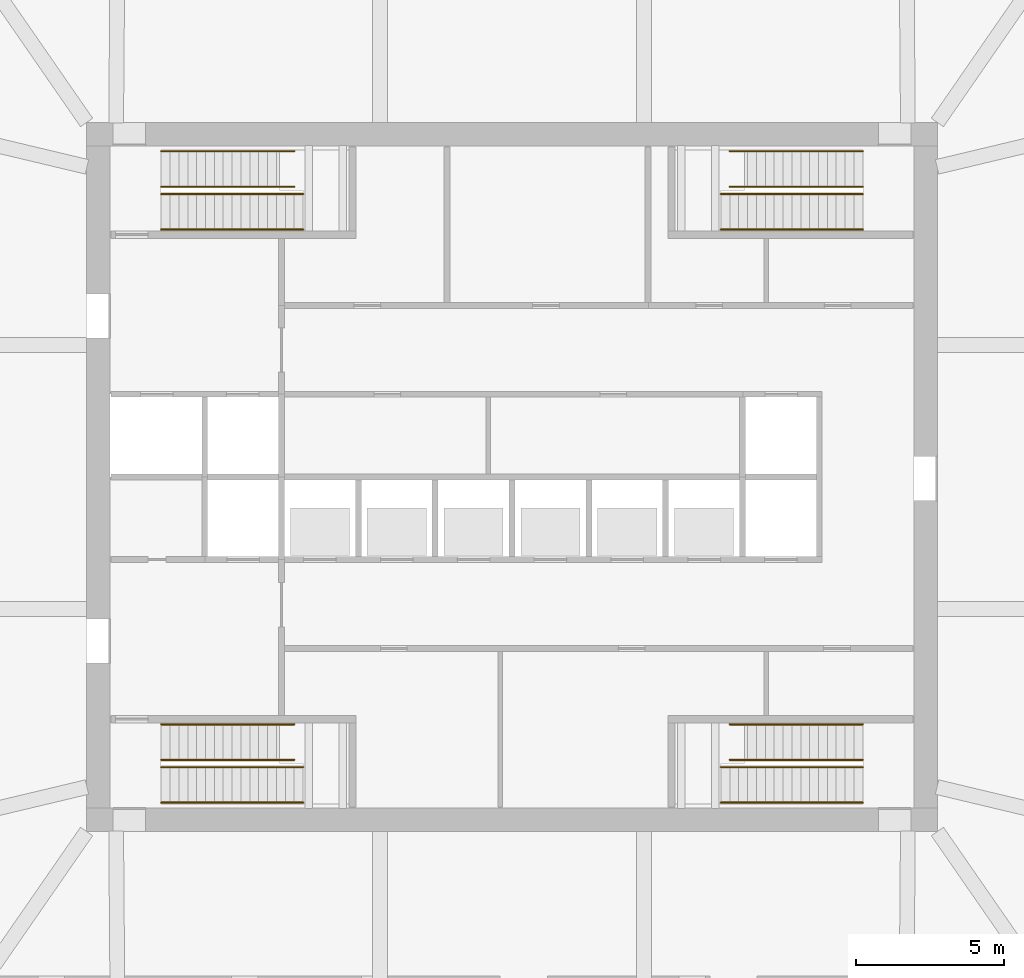
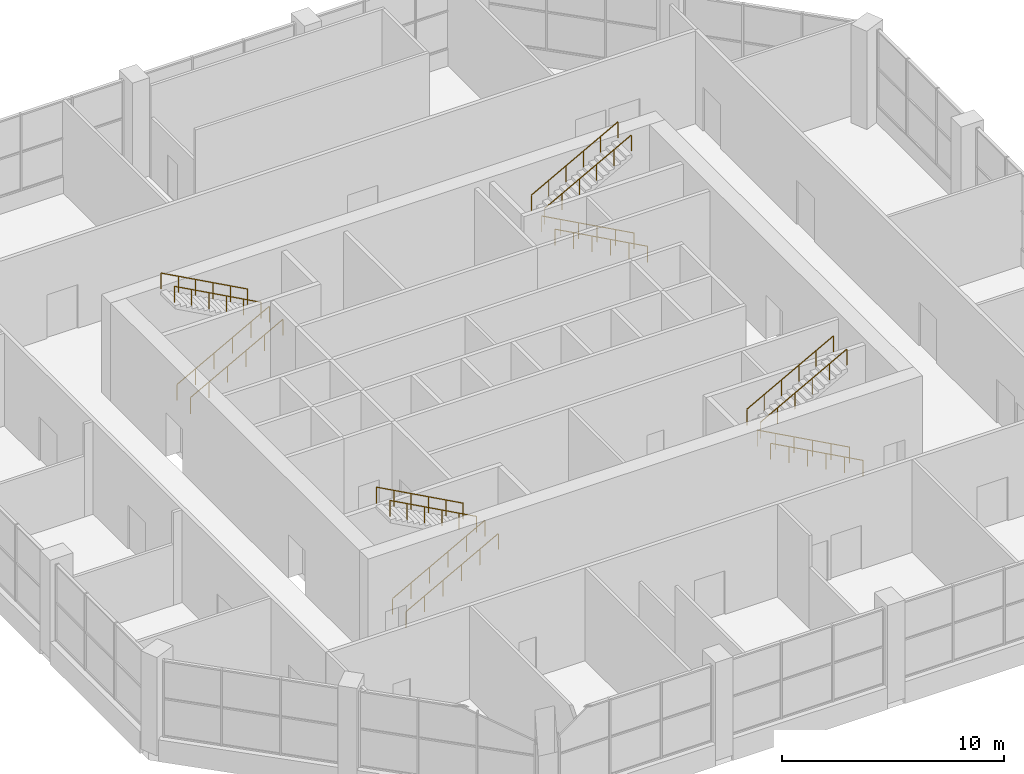
# One storey, part 15 of 16: 16 railings.
"""IFC4 building model written with IfcOpenShell, lengths in metres."""

import ifcopenshell
import ifcopenshell.guid

model = None  # the IFC model being written
_history = None  # IfcOwnerHistory: only IFC2X3 demands one
_inside = {}  # id of a spatial element -> (the spatial element, [elements in it])
_under = {}  # id of a project, library or spatial element -> (it, [spatial elements below it])
_declared = {}  # id of a project -> (the project, [libraries it declares])
_typed = {}  # id of a type object -> (the type object, [elements of that type])
_made_of = {}  # id of a material, layer set ... -> (it, [elements and type objects made of it])


def new_model(schema):
    """Start an empty IFC model of exactly this schema.

    Asked for "IFC4X3", IfcOpenShell would pick the latest addendum, in which some entities
    have other attributes; the version numbers below select the first issue.
    IFC2X3 requires an IfcOwnerHistory on every rooted entity: one is made here for all.
    """
    global model, _history
    if schema == "IFC4X3":
        model = ifcopenshell.file(schema_version=(4, 3, 0, 0))
    else:
        model = ifcopenshell.file(schema=schema)
    _inside.clear()
    _under.clear()
    _declared.clear()
    _typed.clear()
    _made_of.clear()
    _history = None
    if model.schema == "IFC2X3":
        org = make("IfcOrganization", Name="unknown")
        user = make(
            "IfcPersonAndOrganization",
            ThePerson=make("IfcPerson", FamilyName="unknown"),
            TheOrganization=org,
        )
        app = make(
            "IfcApplication",
            ApplicationDeveloper=org,
            Version="unknown",
            ApplicationFullName="unknown",
            ApplicationIdentifier="unknown",
        )
        _history = make(
            "IfcOwnerHistory",
            OwningUser=user,
            OwningApplication=app,
            ChangeAction="ADDED",
            CreationDate=0,
        )
    return model


def make(cls, **values):
    """One entity of the class cls with the attributes given. An attribute that is None is left unset."""
    return model.create_entity(
        cls, **{name: value for name, value in values.items() if value is not None}
    )


def rooted(cls, **values):
    """An entity with a GlobalId (a new one), such as an element, a storey or a relation."""
    return make(cls, GlobalId=ifcopenshell.guid.new(), OwnerHistory=_history, **values)


def si_unit(unit_type, name, prefix=None):
    """IfcSIUnit, for example si_unit("LENGTHUNIT", "METRE", prefix="MILLI")."""
    return make("IfcSIUnit", UnitType=unit_type, Prefix=prefix, Name=name)


def assignment(units):
    """IfcUnitAssignment: the units of a project."""
    return None if units is None else make("IfcUnitAssignment", Units=units)


def point(xyz):
    """IfcCartesianPoint."""
    return None if xyz is None else make("IfcCartesianPoint", Coordinates=xyz)


def direction(xyz):
    """IfcDirection."""
    return None if xyz is None else make("IfcDirection", DirectionRatios=xyz)


def frame(location, z_axis=None, x_axis=None):
    """IfcAxis2Placement3D, a coordinate frame: its origin and axes. An axis left out is left unset."""
    return make(
        "IfcAxis2Placement3D",
        Location=point(location),
        Axis=direction(z_axis),
        RefDirection=direction(x_axis),
    )


def frame_2d(location, x_axis=None):
    """IfcAxis2Placement2D, a coordinate frame in the plane: its origin and x axis."""
    return make(
        "IfcAxis2Placement2D", Location=point(location), RefDirection=direction(x_axis)
    )


def origin():
    """The frame at (0, 0, 0) with its axes left unset."""
    return frame((0.0, 0.0, 0.0))


def origin_2d():
    """The frame at (0, 0) in the plane with its x axis left unset."""
    return frame_2d((0.0, 0.0))


def place(relative_to, where):
    """IfcLocalPlacement: puts the frame where relative to a parent placement (None: the world)."""
    return make(
        "IfcLocalPlacement", PlacementRelTo=relative_to, RelativePlacement=where
    )


def context(
    kind, dimensions, precision=None, world=None, true_north=None, identifier=None
):
    """IfcGeometricRepresentationContext, for example the 3D "Model" context."""
    return make(
        "IfcGeometricRepresentationContext",
        ContextIdentifier=identifier,
        ContextType=kind,
        CoordinateSpaceDimension=dimensions,
        Precision=precision,
        WorldCoordinateSystem=world,
        TrueNorth=true_north,
    )


def subcontext(parent, identifier, kind, view, scale=None):
    """IfcGeometricRepresentationSubContext, for example "Body" below "Model"."""
    return make(
        "IfcGeometricRepresentationSubContext",
        ContextIdentifier=identifier,
        ContextType=kind,
        ParentContext=parent,
        TargetScale=scale,
        TargetView=view,
    )


def project(units=None, contexts=None):
    """IfcProject with its units and contexts."""
    return rooted(
        "IfcProject",
        Name="project",
        RepresentationContexts=contexts,
        UnitsInContext=assignment(units),
    )


def spatial(cls, under=None, at=None, **own):
    """A site, building, storey or space (cls), placed at a placement, below another one or the project."""
    s = rooted(cls, ObjectPlacement=at, **own)
    if under is not None:
        _under.setdefault(under.id(), (under, []))[1].append(s)
    return s


def profile(cls, at=None, kind="AREA", **sizes):
    """A parametric profile (cls). Its sizes go by their IFC names, for example OverallWidth=200.0."""
    return make(cls, ProfileType=kind, Position=at, **sizes)


def circle(**sizes):
    """IfcCircleProfileDef."""
    return profile("IfcCircleProfileDef", **sizes)


def extrude(swept, where, along, depth):
    """IfcExtrudedAreaSolid: the profile swept, set in the frame where, extruded along a direction by depth."""
    return make(
        "IfcExtrudedAreaSolid",
        SweptArea=swept,
        Position=where,
        ExtrudedDirection=direction(along),
        Depth=depth,
    )


def shape(context_of_items, identifier, shape_type, items):
    """IfcShapeRepresentation: the items that make up one representation, for example the "Body"."""
    return make(
        "IfcShapeRepresentation",
        ContextOfItems=context_of_items,
        RepresentationIdentifier=identifier,
        RepresentationType=shape_type,
        Items=items,
    )


def material(Name=None, Category=None):
    """IfcMaterial."""
    return make("IfcMaterial", Name=Name, Category=Category)


def constituent(of_material, Name=None, Category=None, fraction=None):
    """IfcMaterialConstituent: one of the materials an element consists of."""
    return make(
        "IfcMaterialConstituent",
        Name=Name,
        Material=of_material,
        Fraction=fraction,
        Category=Category,
    )


def constituent_set(constituents=None, Name=None):
    """IfcMaterialConstituentSet."""
    return make(
        "IfcMaterialConstituentSet", Name=Name, MaterialConstituents=constituents
    )


def made_of(thing, what):
    """Note that an element or type object is made of a material, layer set ...; save() writes the relation."""
    if what is not None:
        _made_of.setdefault(what.id(), (what, []))[1].append(thing)
    return thing


def type_object(cls, material=None, **own):
    """A type object (cls), such as IfcWallType, which elements share."""
    return made_of(rooted(cls, **own), material)


def element(
    cls,
    number,
    at=None,
    inside=None,
    cuts=None,
    type_object=None,
    material=None,
    context=None,
    identifier="Body",
    shape_type=None,
    held_by="IfcProductDefinitionShape",
    body=None,
    shapes=None,
    **own,
):
    """One element of the class cls, such as IfcWall. Its Tag is "e" and its number.

    at: its placement. inside: the storey or other place that contains it. cuts: it is an
    opening in that element (IfcRelVoidsElement). A single representation is given by context,
    identifier, shape_type and body (its items); several are given by shapes. held_by: the class
    of the entity that holds the representations. save() writes the other relations.
    """
    e = rooted(cls, Tag="e%d" % number, ObjectPlacement=at, **own)
    if body is not None:
        shapes = [shape(context, identifier, shape_type, body)]
    if shapes is not None:
        e.Representation = make(held_by, Representations=shapes)
    if inside is not None:
        _inside.setdefault(inside.id(), (inside, []))[1].append(e)
    if cuts is not None:
        rooted(
            "IfcRelVoidsElement", RelatingBuildingElement=cuts, RelatedOpeningElement=e
        )
    if type_object is not None:
        _typed.setdefault(type_object.id(), (type_object, []))[1].append(e)
    return made_of(e, material)


def aggregate(whole, parts):
    """IfcRelAggregates: a whole, such as a stair, and the parts it consists of."""
    return rooted("IfcRelAggregates", RelatingObject=whole, RelatedObjects=parts)


def save(model, path):
    """Write the relations noted so far, then the file.

    IfcRelAggregates (storeys below a building ...), IfcRelContainedInSpatialStructure (elements
    in a storey), IfcRelDefinesByType, IfcRelAssociatesMaterial and IfcRelDeclares: one each for
    every whole, place, type object, material and project.
    """
    for whole, parts in _under.values():
        aggregate(whole, parts)
    for where, things in _inside.values():
        rooted(
            "IfcRelContainedInSpatialStructure",
            RelatedElements=things,
            RelatingStructure=where,
        )
    for kind, things in _typed.values():
        rooted("IfcRelDefinesByType", RelatedObjects=things, RelatingType=kind)
    for what, things in _made_of.values():
        rooted("IfcRelAssociatesMaterial", RelatedObjects=things, RelatingMaterial=what)
    for by, libraries in _declared.values():
        rooted("IfcRelDeclares", RelatingContext=by, RelatedDefinitions=libraries)
    model.write(path)


model = new_model("IFC4")

# Units and contexts
model_context = context("Model", 3, precision=1e-05, world=origin(), true_north=direction((0.0, 1.0)))
body_context = subcontext(model_context, "Body", "Model", "MODEL_VIEW")
ifc_project = project(units=[si_unit("LENGTHUNIT", "METRE"), si_unit("AREAUNIT", "SQUARE_METRE"), si_unit("VOLUMEUNIT", "CUBIC_METRE"), si_unit("PLANEANGLEUNIT", "RADIAN"), si_unit("MASSUNIT", "GRAM", prefix="KILO")], contexts=[model_context])

# Site, building, storey
site_placement = place(None, origin())
site = spatial("IfcSite", under=ifc_project, at=site_placement, CompositionType="ELEMENT")
building_placement = place(site_placement, origin())
building = spatial("IfcBuilding", under=site, at=building_placement, Name="Msitu Wima Residences", CompositionType="ELEMENT")
storey_placement = place(building_placement, frame((0.0, 0.0, 156.89990234375)))
storey = spatial("IfcBuildingStorey", under=building, at=storey_placement, Name="L36", CompositionType="ELEMENT", Elevation=156.89990234375)

# Railings
ifc_material_1 = material(Name="Steel S355", Category="steel")
ifc_constituent_1 = constituent(ifc_material_1, Name="Steel S355")
ifc_material_2 = material(Name="Black powder coating")
ifc_constituent_2 = constituent(ifc_material_2, Name="Black powder coating")
ifc_constituent_set = constituent_set(constituents=[ifc_constituent_1, ifc_constituent_2], Name="Steel S355")
railing_type = type_object("IfcRailingType", Name="Stair handrail HR1", PredefinedType="HANDRAIL", material=ifc_constituent_set)
for number, where, name in (
    (1, (-11.875, 8.375, 0.163818359375), "Stair 1 handrail"),
    (2, (-11.875, 9.574951171875, 0.163818359375), "Stair 1 handrail"),
):
    element("IfcRailing", number, at=place(storey_placement, frame(where)), inside=storey, type_object=railing_type, Name=name, PredefinedType="HANDRAIL", context=body_context, shape_type="SweptSolid", body=[
        extrude(circle(Radius=0.02392578125, at=origin_2d()), frame((0.0, 0.0, 0.8759765625), z_axis=(0.877898985768, 0.0, 0.478845873729), x_axis=(0.0, 1.0, 0.0)), (0.0, 0.0, 1.0), 5.4677734375),
        extrude(circle(Radius=0.02099609375, at=origin_2d()), origin(), (0.0, 0.0, 1.0), 0.851806640625),
        extrude(circle(Radius=0.02099609375, at=origin_2d()), frame((0.9599609375, 0.0, 0.523681640625)), (0.0, 0.0, 1.0), 0.851806640625),
        extrude(circle(Radius=0.02099609375, at=origin_2d()), frame((1.919921875, 0.0, 1.04736328125)), (0.0, 0.0, 1.0), 0.851806640625),
        extrude(circle(Radius=0.02099609375, at=origin_2d()), frame((2.880126953125, 0.0, 1.57080078125)), (0.0, 0.0, 1.0), 0.851806640625),
        extrude(circle(Radius=0.02099609375, at=origin_2d()), frame((3.840087890625, 0.0, 2.094482421875)), (0.0, 0.0, 1.0), 0.851806640625),
        extrude(circle(Radius=0.02099609375, at=origin_2d()), frame((4.800048828125, 0.0, 2.6181640625)), (0.0, 0.0, 1.0), 0.851806640625),
    ])
for number, where, name in (
    (3, (-7.375, 9.824951171875, 2.945556640625), "Stair 1 handrail"),
    (4, (-7.375, 11.02490234375, 2.945556640625), "Stair 1 handrail"),
):
    element("IfcRailing", number, at=place(storey_placement, frame(where)), inside=storey, type_object=railing_type, Name=name, PredefinedType="HANDRAIL", context=body_context, shape_type="SweptSolid", body=[
        extrude(circle(Radius=0.02392578125, at=origin_2d()), frame((0.0, 0.0, 0.8759765625), z_axis=(-0.87789193248, 0.0, 0.47885880475), x_axis=(0.0, -1.0, 0.0)), (0.0, 0.0, 1.0), 5.1259765625),
        extrude(circle(Radius=0.02099609375, at=origin_2d()), origin(), (0.0, 0.0, 1.0), 0.851806640625),
        extrude(circle(Radius=0.02099609375, at=origin_2d()), frame((-0.89990234375, 0.0, 0.490966796875)), (0.0, 0.0, 1.0), 0.851806640625),
        extrude(circle(Radius=0.02099609375, at=origin_2d()), frame((-1.800048828125, 0.0, 0.98193359375)), (0.0, 0.0, 1.0), 0.851806640625),
        extrude(circle(Radius=0.02099609375, at=origin_2d()), frame((-2.699951171875, 0.0, 1.47265625)), (0.0, 0.0, 1.0), 0.851806640625),
        extrude(circle(Radius=0.02099609375, at=origin_2d()), frame((-3.60009765625, 0.0, 1.963623046875)), (0.0, 0.0, 1.0), 0.851806640625),
        extrude(circle(Radius=0.02099609375, at=origin_2d()), frame((-4.5, 0.0, 2.45458984375)), (0.0, 0.0, 1.0), 0.851806640625),
    ])
for number, where, name in (
    (5, (-11.875, -11.02490234375, 0.163818359375), "Stair 2 handrail"),
    (6, (-11.875, -9.824951171875, 0.163818359375), "Stair 2 handrail"),
):
    element("IfcRailing", number, at=place(storey_placement, frame(where)), inside=storey, type_object=railing_type, Name=name, PredefinedType="HANDRAIL", context=body_context, shape_type="SweptSolid", body=[
        extrude(circle(Radius=0.02392578125, at=origin_2d()), frame((0.0, 0.0, 0.8759765625), z_axis=(0.877898985768, 0.0, 0.478845873729), x_axis=(0.0, 1.0, 0.0)), (0.0, 0.0, 1.0), 5.4677734375),
        extrude(circle(Radius=0.02099609375, at=origin_2d()), origin(), (0.0, 0.0, 1.0), 0.851806640625),
        extrude(circle(Radius=0.02099609375, at=origin_2d()), frame((0.9599609375, 0.0, 0.523681640625)), (0.0, 0.0, 1.0), 0.851806640625),
        extrude(circle(Radius=0.02099609375, at=origin_2d()), frame((1.919921875, 0.0, 1.04736328125)), (0.0, 0.0, 1.0), 0.851806640625),
        extrude(circle(Radius=0.02099609375, at=origin_2d()), frame((2.880126953125, 0.0, 1.57080078125)), (0.0, 0.0, 1.0), 0.851806640625),
        extrude(circle(Radius=0.02099609375, at=origin_2d()), frame((3.840087890625, 0.0, 2.094482421875)), (0.0, 0.0, 1.0), 0.851806640625),
        extrude(circle(Radius=0.02099609375, at=origin_2d()), frame((4.800048828125, 0.0, 2.6181640625)), (0.0, 0.0, 1.0), 0.851806640625),
    ])
for number, where, name in (
    (7, (-7.375, -9.574951171875, 2.945556640625), "Stair 2 handrail"),
    (8, (-7.375, -8.375, 2.945556640625), "Stair 2 handrail"),
):
    element("IfcRailing", number, at=place(storey_placement, frame(where)), inside=storey, type_object=railing_type, Name=name, PredefinedType="HANDRAIL", context=body_context, shape_type="SweptSolid", body=[
        extrude(circle(Radius=0.02392578125, at=origin_2d()), frame((0.0, 0.0, 0.8759765625), z_axis=(-0.87789193248, 0.0, 0.47885880475), x_axis=(0.0, -1.0, 0.0)), (0.0, 0.0, 1.0), 5.1259765625),
        extrude(circle(Radius=0.02099609375, at=origin_2d()), origin(), (0.0, 0.0, 1.0), 0.851806640625),
        extrude(circle(Radius=0.02099609375, at=origin_2d()), frame((-0.89990234375, 0.0, 0.490966796875)), (0.0, 0.0, 1.0), 0.851806640625),
        extrude(circle(Radius=0.02099609375, at=origin_2d()), frame((-1.800048828125, 0.0, 0.98193359375)), (0.0, 0.0, 1.0), 0.851806640625),
        extrude(circle(Radius=0.02099609375, at=origin_2d()), frame((-2.699951171875, 0.0, 1.47265625)), (0.0, 0.0, 1.0), 0.851806640625),
        extrude(circle(Radius=0.02099609375, at=origin_2d()), frame((-3.60009765625, 0.0, 1.963623046875)), (0.0, 0.0, 1.0), 0.851806640625),
        extrude(circle(Radius=0.02099609375, at=origin_2d()), frame((-4.5, 0.0, 2.45458984375)), (0.0, 0.0, 1.0), 0.851806640625),
    ])
for number, where, name in (
    (9, (11.875, 8.375, 0.163818359375), "Stair 3 handrail"),
    (10, (11.875, 9.574951171875, 0.163818359375), "Stair 3 handrail"),
):
    element("IfcRailing", number, at=place(storey_placement, frame(where)), inside=storey, type_object=railing_type, Name=name, PredefinedType="HANDRAIL", context=body_context, shape_type="SweptSolid", body=[
        extrude(circle(Radius=0.02392578125, at=origin_2d()), frame((0.0, 0.0, 0.8759765625), z_axis=(-0.877898985768, 0.0, 0.478845873729), x_axis=(0.0, -1.0, 0.0)), (0.0, 0.0, 1.0), 5.4677734375),
        extrude(circle(Radius=0.02099609375, at=origin_2d()), origin(), (0.0, 0.0, 1.0), 0.851806640625),
        extrude(circle(Radius=0.02099609375, at=origin_2d()), frame((-0.9599609375, 0.0, 0.523681640625)), (0.0, 0.0, 1.0), 0.851806640625),
        extrude(circle(Radius=0.02099609375, at=origin_2d()), frame((-1.919921875, 0.0, 1.04736328125)), (0.0, 0.0, 1.0), 0.851806640625),
        extrude(circle(Radius=0.02099609375, at=origin_2d()), frame((-2.880126953125, 0.0, 1.57080078125)), (0.0, 0.0, 1.0), 0.851806640625),
        extrude(circle(Radius=0.02099609375, at=origin_2d()), frame((-3.840087890625, 0.0, 2.094482421875)), (0.0, 0.0, 1.0), 0.851806640625),
        extrude(circle(Radius=0.02099609375, at=origin_2d()), frame((-4.800048828125, 0.0, 2.6181640625)), (0.0, 0.0, 1.0), 0.851806640625),
    ])
for number, where, name in (
    (11, (7.375, 9.824951171875, 2.945556640625), "Stair 3 handrail"),
    (12, (7.375, 11.02490234375, 2.945556640625), "Stair 3 handrail"),
):
    element("IfcRailing", number, at=place(storey_placement, frame(where)), inside=storey, type_object=railing_type, Name=name, PredefinedType="HANDRAIL", context=body_context, shape_type="SweptSolid", body=[
        extrude(circle(Radius=0.02392578125, at=origin_2d()), frame((0.0, 0.0, 0.8759765625), z_axis=(0.87789193248, 0.0, 0.47885880475), x_axis=(0.0, 1.0, 0.0)), (0.0, 0.0, 1.0), 5.1259765625),
        extrude(circle(Radius=0.02099609375, at=origin_2d()), origin(), (0.0, 0.0, 1.0), 0.851806640625),
        extrude(circle(Radius=0.02099609375, at=origin_2d()), frame((0.89990234375, 0.0, 0.490966796875)), (0.0, 0.0, 1.0), 0.851806640625),
        extrude(circle(Radius=0.02099609375, at=origin_2d()), frame((1.800048828125, 0.0, 0.98193359375)), (0.0, 0.0, 1.0), 0.851806640625),
        extrude(circle(Radius=0.02099609375, at=origin_2d()), frame((2.699951171875, 0.0, 1.47265625)), (0.0, 0.0, 1.0), 0.851806640625),
        extrude(circle(Radius=0.02099609375, at=origin_2d()), frame((3.60009765625, 0.0, 1.963623046875)), (0.0, 0.0, 1.0), 0.851806640625),
        extrude(circle(Radius=0.02099609375, at=origin_2d()), frame((4.5, 0.0, 2.45458984375)), (0.0, 0.0, 1.0), 0.851806640625),
    ])
for number, where, name in (
    (13, (11.875, -11.02490234375, 0.163818359375), "Stair 4 handrail"),
    (14, (11.875, -9.824951171875, 0.163818359375), "Stair 4 handrail"),
):
    element("IfcRailing", number, at=place(storey_placement, frame(where)), inside=storey, type_object=railing_type, Name=name, PredefinedType="HANDRAIL", context=body_context, shape_type="SweptSolid", body=[
        extrude(circle(Radius=0.02392578125, at=origin_2d()), frame((0.0, 0.0, 0.8759765625), z_axis=(-0.877898985768, 0.0, 0.478845873729), x_axis=(0.0, -1.0, 0.0)), (0.0, 0.0, 1.0), 5.4677734375),
        extrude(circle(Radius=0.02099609375, at=origin_2d()), origin(), (0.0, 0.0, 1.0), 0.851806640625),
        extrude(circle(Radius=0.02099609375, at=origin_2d()), frame((-0.9599609375, 0.0, 0.523681640625)), (0.0, 0.0, 1.0), 0.851806640625),
        extrude(circle(Radius=0.02099609375, at=origin_2d()), frame((-1.919921875, 0.0, 1.04736328125)), (0.0, 0.0, 1.0), 0.851806640625),
        extrude(circle(Radius=0.02099609375, at=origin_2d()), frame((-2.880126953125, 0.0, 1.57080078125)), (0.0, 0.0, 1.0), 0.851806640625),
        extrude(circle(Radius=0.02099609375, at=origin_2d()), frame((-3.840087890625, 0.0, 2.094482421875)), (0.0, 0.0, 1.0), 0.851806640625),
        extrude(circle(Radius=0.02099609375, at=origin_2d()), frame((-4.800048828125, 0.0, 2.6181640625)), (0.0, 0.0, 1.0), 0.851806640625),
    ])
for number, where, name in (
    (15, (7.375, -9.574951171875, 2.945556640625), "Stair 4 handrail"),
    (16, (7.375, -8.375, 2.945556640625), "Stair 4 handrail"),
):
    element("IfcRailing", number, at=place(storey_placement, frame(where)), inside=storey, type_object=railing_type, Name=name, PredefinedType="HANDRAIL", context=body_context, shape_type="SweptSolid", body=[
        extrude(circle(Radius=0.02392578125, at=origin_2d()), frame((0.0, 0.0, 0.8759765625), z_axis=(0.87789193248, 0.0, 0.47885880475), x_axis=(0.0, 1.0, 0.0)), (0.0, 0.0, 1.0), 5.1259765625),
        extrude(circle(Radius=0.02099609375, at=origin_2d()), origin(), (0.0, 0.0, 1.0), 0.851806640625),
        extrude(circle(Radius=0.02099609375, at=origin_2d()), frame((0.89990234375, 0.0, 0.490966796875)), (0.0, 0.0, 1.0), 0.851806640625),
        extrude(circle(Radius=0.02099609375, at=origin_2d()), frame((1.800048828125, 0.0, 0.98193359375)), (0.0, 0.0, 1.0), 0.851806640625),
        extrude(circle(Radius=0.02099609375, at=origin_2d()), frame((2.699951171875, 0.0, 1.47265625)), (0.0, 0.0, 1.0), 0.851806640625),
        extrude(circle(Radius=0.02099609375, at=origin_2d()), frame((3.60009765625, 0.0, 1.963623046875)), (0.0, 0.0, 1.0), 0.851806640625),
        extrude(circle(Radius=0.02099609375, at=origin_2d()), frame((4.5, 0.0, 2.45458984375)), (0.0, 0.0, 1.0), 0.851806640625),
    ])

save(model, "model.ifc")
